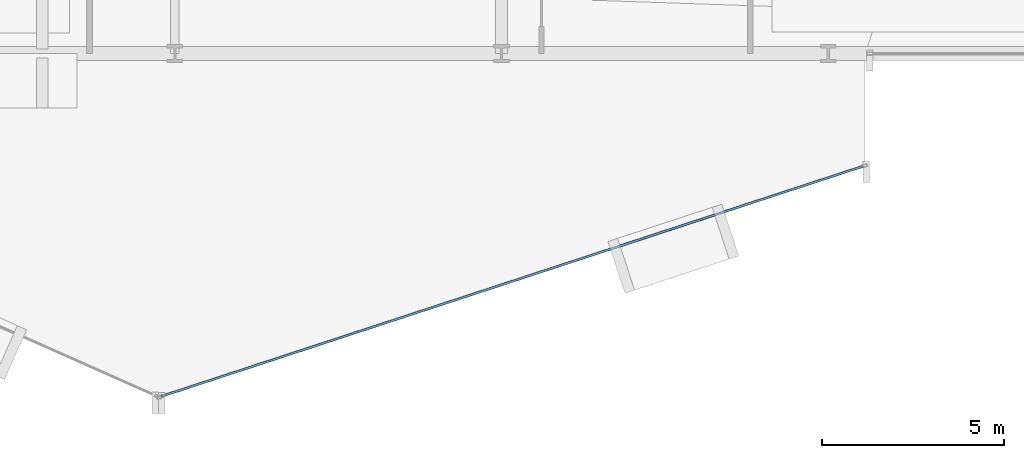
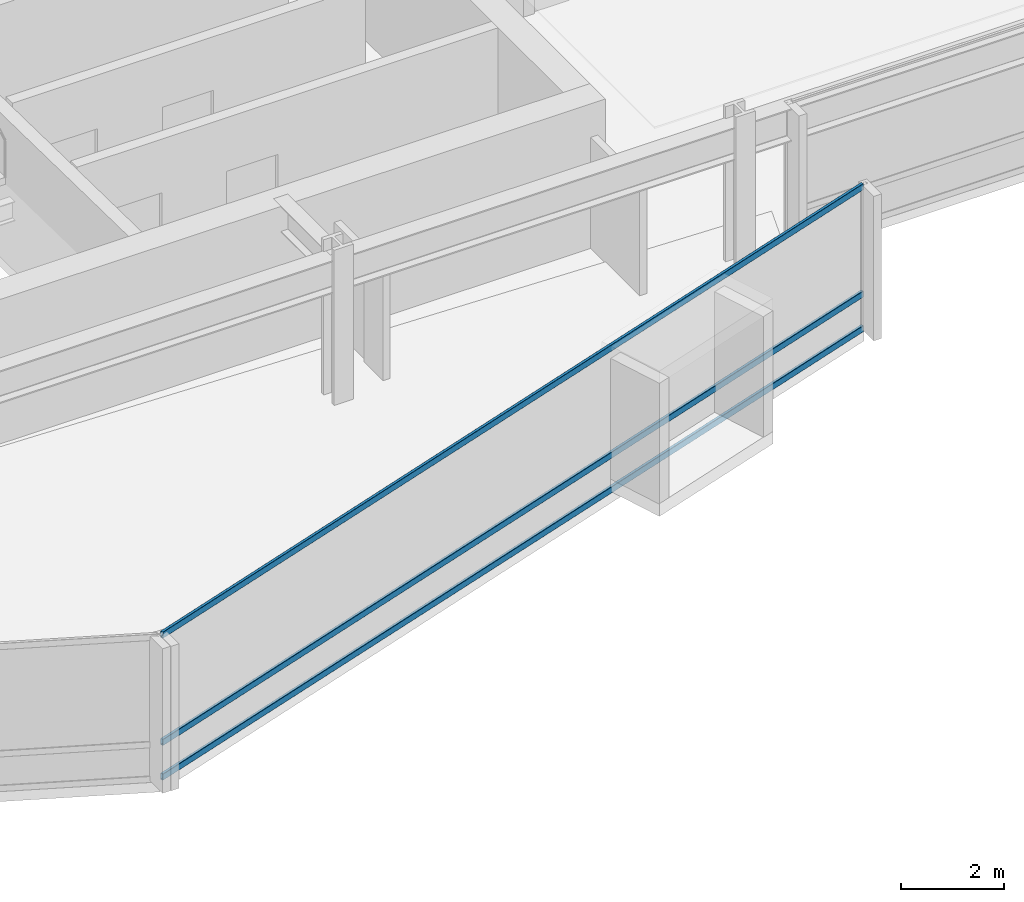
# One storey, part 9 of 34: 3 members, 1 element without a shape of its own.
"""IFC4 building model written with IfcOpenShell, lengths in metres."""

from ifc_helpers import new_model, si_unit, direction, frame, origin, origin_2d, place, context, subcontext, project, spatial, hollow_rectangle, extrude, material, layer, layer_set, material_profile, profile_set, type_object, element, aggregate, save


model = new_model("IFC4")

# Units and contexts
model_context = context("Model", 3, precision=1e-05, world=origin(), true_north=direction((0.0, 1.0)))
body_context = subcontext(model_context, "Body", "Model", "MODEL_VIEW")
ifc_project = project(units=[si_unit("LENGTHUNIT", "METRE"), si_unit("AREAUNIT", "SQUARE_METRE"), si_unit("VOLUMEUNIT", "CUBIC_METRE"), si_unit("PLANEANGLEUNIT", "RADIAN"), si_unit("MASSUNIT", "GRAM", prefix="KILO")], contexts=[model_context])

# Site, building, storey
site_placement = place(None, origin())
site = spatial("IfcSite", under=ifc_project, at=site_placement, CompositionType="ELEMENT")
building_placement = place(site_placement, origin())
building = spatial("IfcBuilding", under=site, at=building_placement, Name="Solvaryn Broadcast Tower", CompositionType="ELEMENT")
storey_placement = place(building_placement, frame((0.0, 0.0, 65.60009765625)))
storey = spatial("IfcBuildingStorey", under=building, at=storey_placement, Name="L15", CompositionType="ELEMENT", Elevation=65.60009765625)

# Curtain wall, members
ifc_material_1 = material(Name="Aluminium and Terracotta Unitised Curtain Wall", Category="masonry")
ifc_layer = layer(ifc_material_1, 0.199951171875)
ifc_layer_set = layer_set([ifc_layer], Name="CW-SYS2-LOWMID")
curtain_wall_type = type_object("IfcCurtainWallType", Name="CW-SYS2-LOWMID", PredefinedType="NOTDEFINED", material=ifc_layer_set)
curtain_wall_placement = place(storey_placement, origin())
curtain_wall = element("IfcCurtainWall", 1, at=curtain_wall_placement, inside=storey, type_object=curtain_wall_type, Name="L15 Curtain Wall DR4", PredefinedType="NOTDEFINED")
ifc_material_2 = material(Name="Anodised Aluminium 6063-T6", Category="aluminium")
ifc_material_profile = material_profile(ifc_material_2, hollow_rectangle(XDim=0.06494140625, YDim=0.14990234375, WallThickness=0.00390625, InnerFilletRadius=0.00390625, OuterFilletRadius=0.008056640625, at=origin_2d()))
ifc_profile_set = profile_set([ifc_material_profile], Name="Anodised Aluminium 6063-T6")
member_type = type_object("IfcMemberType", Name="CW-TRN-150", PredefinedType="USERDEFINED", material=ifc_profile_set)
member_1_placement = place(storey_placement, frame((26.616943359375, -0.4453125, 0.02978515625), z_axis=(0.950216792475, 0.311589549406, 0.0), x_axis=(-0.311589549406, 0.950216792475, 0.0)))
member_1 = element("IfcMember", 2, at=member_1_placement, type_object=member_type, Name="CWS2 transom 1.1", ObjectType="TRANSOM", PredefinedType="USERDEFINED", context=body_context, shape_type="SweptSolid", body=[
    extrude(hollow_rectangle(XDim=0.06494140625, YDim=0.14990234375, WallThickness=0.00390625, InnerFilletRadius=0.00390625, OuterFilletRadius=0.008056640625, at=origin_2d()), origin(), (0.0, 0.0, 1.0), 20.35546875),
])
member_2_placement = place(storey_placement, frame((26.616943359375, -0.4453125, 0.849853515625), z_axis=(0.950216792475, 0.311589549406, 0.0), x_axis=(-0.311589549406, 0.950216792475, 0.0)))
member_2 = element("IfcMember", 3, at=member_2_placement, type_object=member_type, Name="CWS2 transom 1.2", ObjectType="TRANSOM", PredefinedType="USERDEFINED", context=body_context, shape_type="SweptSolid", body=[
    extrude(hollow_rectangle(XDim=0.06494140625, YDim=0.14990234375, WallThickness=0.00390625, InnerFilletRadius=0.00390625, OuterFilletRadius=0.008056640625, at=origin_2d()), origin(), (0.0, 0.0, 1.0), 20.35546875),
])
member_3_placement = place(storey_placement, frame((26.616943359375, -0.4453125, 3.389892578125), z_axis=(0.950216792475, 0.311589549406, 0.0), x_axis=(-0.311589549406, 0.950216792475, 0.0)))
member_3 = element("IfcMember", 4, at=member_3_placement, type_object=member_type, Name="CWS2 transom 1.3", ObjectType="TRANSOM", PredefinedType="USERDEFINED", context=body_context, shape_type="SweptSolid", body=[
    extrude(hollow_rectangle(XDim=0.06494140625, YDim=0.14990234375, WallThickness=0.00390625, InnerFilletRadius=0.00390625, OuterFilletRadius=0.008056640625, at=origin_2d()), origin(), (0.0, 0.0, 1.0), 20.35546875),
])
aggregate(curtain_wall, [member_1, member_2, member_3])

save(model, "model.ifc")
